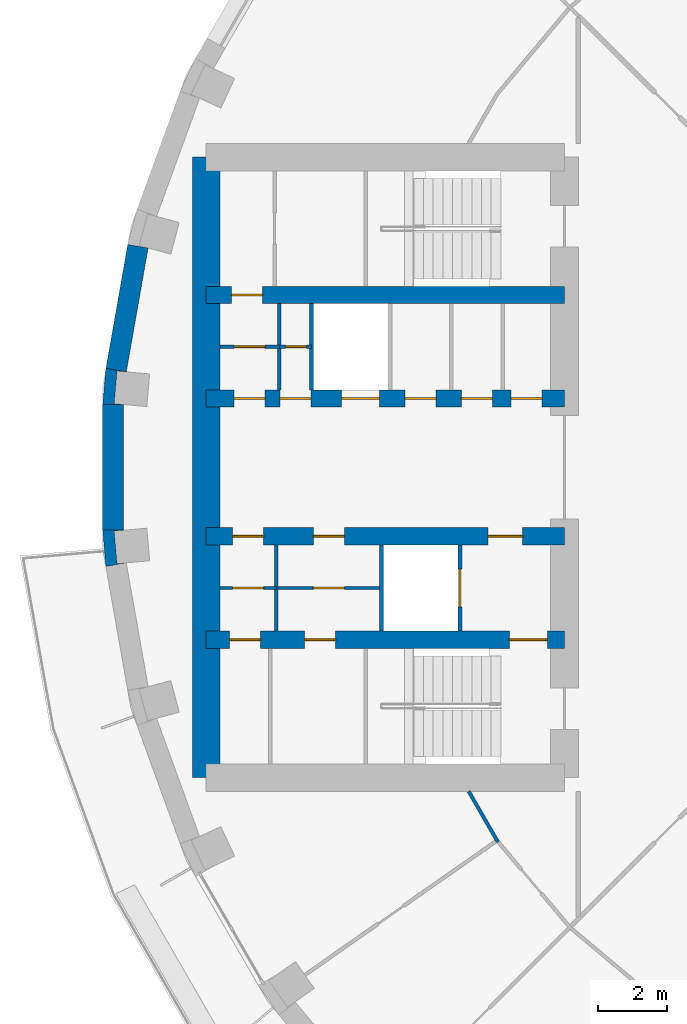
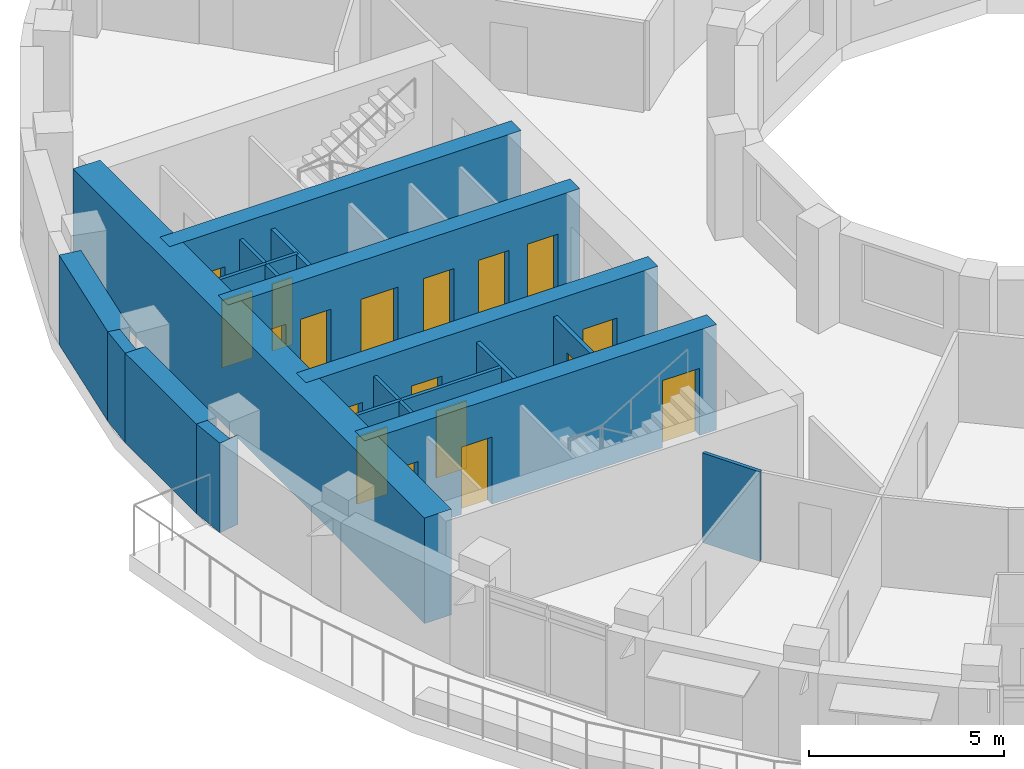
# One storey, part 6 of 16: 19 walls, 18 doors, 18 openings.
"""IFC4 building model written with IfcOpenShell, lengths in metres."""

import ifcopenshell
import ifcopenshell.guid

model = None  # the IFC model being written
_history = None  # IfcOwnerHistory: only IFC2X3 demands one
_inside = {}  # id of a spatial element -> (the spatial element, [elements in it])
_under = {}  # id of a project, library or spatial element -> (it, [spatial elements below it])
_declared = {}  # id of a project -> (the project, [libraries it declares])
_typed = {}  # id of a type object -> (the type object, [elements of that type])
_made_of = {}  # id of a material, layer set ... -> (it, [elements and type objects made of it])


def new_model(schema):
    """Start an empty IFC model of exactly this schema.

    Asked for "IFC4X3", IfcOpenShell would pick the latest addendum, in which some entities
    have other attributes; the version numbers below select the first issue.
    IFC2X3 requires an IfcOwnerHistory on every rooted entity: one is made here for all.
    """
    global model, _history
    if schema == "IFC4X3":
        model = ifcopenshell.file(schema_version=(4, 3, 0, 0))
    else:
        model = ifcopenshell.file(schema=schema)
    _inside.clear()
    _under.clear()
    _declared.clear()
    _typed.clear()
    _made_of.clear()
    _history = None
    if model.schema == "IFC2X3":
        org = make("IfcOrganization", Name="unknown")
        user = make(
            "IfcPersonAndOrganization",
            ThePerson=make("IfcPerson", FamilyName="unknown"),
            TheOrganization=org,
        )
        app = make(
            "IfcApplication",
            ApplicationDeveloper=org,
            Version="unknown",
            ApplicationFullName="unknown",
            ApplicationIdentifier="unknown",
        )
        _history = make(
            "IfcOwnerHistory",
            OwningUser=user,
            OwningApplication=app,
            ChangeAction="ADDED",
            CreationDate=0,
        )
    return model


def make(cls, **values):
    """One entity of the class cls with the attributes given. An attribute that is None is left unset."""
    return model.create_entity(
        cls, **{name: value for name, value in values.items() if value is not None}
    )


def rooted(cls, **values):
    """An entity with a GlobalId (a new one), such as an element, a storey or a relation."""
    return make(cls, GlobalId=ifcopenshell.guid.new(), OwnerHistory=_history, **values)


def si_unit(unit_type, name, prefix=None):
    """IfcSIUnit, for example si_unit("LENGTHUNIT", "METRE", prefix="MILLI")."""
    return make("IfcSIUnit", UnitType=unit_type, Prefix=prefix, Name=name)


def assignment(units):
    """IfcUnitAssignment: the units of a project."""
    return None if units is None else make("IfcUnitAssignment", Units=units)


def point(xyz):
    """IfcCartesianPoint."""
    return None if xyz is None else make("IfcCartesianPoint", Coordinates=xyz)


def direction(xyz):
    """IfcDirection."""
    return None if xyz is None else make("IfcDirection", DirectionRatios=xyz)


def frame(location, z_axis=None, x_axis=None):
    """IfcAxis2Placement3D, a coordinate frame: its origin and axes. An axis left out is left unset."""
    return make(
        "IfcAxis2Placement3D",
        Location=point(location),
        Axis=direction(z_axis),
        RefDirection=direction(x_axis),
    )


def frame_2d(location, x_axis=None):
    """IfcAxis2Placement2D, a coordinate frame in the plane: its origin and x axis."""
    return make(
        "IfcAxis2Placement2D", Location=point(location), RefDirection=direction(x_axis)
    )


def origin():
    """The frame at (0, 0, 0) with its axes left unset."""
    return frame((0.0, 0.0, 0.0))


def place(relative_to, where):
    """IfcLocalPlacement: puts the frame where relative to a parent placement (None: the world)."""
    return make(
        "IfcLocalPlacement", PlacementRelTo=relative_to, RelativePlacement=where
    )


def context(
    kind, dimensions, precision=None, world=None, true_north=None, identifier=None
):
    """IfcGeometricRepresentationContext, for example the 3D "Model" context."""
    return make(
        "IfcGeometricRepresentationContext",
        ContextIdentifier=identifier,
        ContextType=kind,
        CoordinateSpaceDimension=dimensions,
        Precision=precision,
        WorldCoordinateSystem=world,
        TrueNorth=true_north,
    )


def subcontext(parent, identifier, kind, view, scale=None):
    """IfcGeometricRepresentationSubContext, for example "Body" below "Model"."""
    return make(
        "IfcGeometricRepresentationSubContext",
        ContextIdentifier=identifier,
        ContextType=kind,
        ParentContext=parent,
        TargetScale=scale,
        TargetView=view,
    )


def project(units=None, contexts=None):
    """IfcProject with its units and contexts."""
    return rooted(
        "IfcProject",
        Name="project",
        RepresentationContexts=contexts,
        UnitsInContext=assignment(units),
    )


def spatial(cls, under=None, at=None, **own):
    """A site, building, storey or space (cls), placed at a placement, below another one or the project."""
    s = rooted(cls, ObjectPlacement=at, **own)
    if under is not None:
        _under.setdefault(under.id(), (under, []))[1].append(s)
    return s


def polyline(points):
    """IfcPolyline through the points."""
    return make("IfcPolyline", Points=[point(p) for p in points])


def profile(cls, at=None, kind="AREA", **sizes):
    """A parametric profile (cls). Its sizes go by their IFC names, for example OverallWidth=200.0."""
    return make(cls, ProfileType=kind, Position=at, **sizes)


def rectangle(**sizes):
    """IfcRectangleProfileDef."""
    return profile("IfcRectangleProfileDef", **sizes)


def outline(outer, holes=None, kind="AREA"):
    """IfcArbitraryClosedProfileDef: a profile drawn as a closed curve; with holes, ...WithVoids."""
    if holes is None:
        return make("IfcArbitraryClosedProfileDef", ProfileType=kind, OuterCurve=outer)
    return make(
        "IfcArbitraryProfileDefWithVoids",
        ProfileType=kind,
        OuterCurve=outer,
        InnerCurves=holes,
    )


def extrude(swept, where, along, depth):
    """IfcExtrudedAreaSolid: the profile swept, set in the frame where, extruded along a direction by depth."""
    return make(
        "IfcExtrudedAreaSolid",
        SweptArea=swept,
        Position=where,
        ExtrudedDirection=direction(along),
        Depth=depth,
    )


def shape(context_of_items, identifier, shape_type, items):
    """IfcShapeRepresentation: the items that make up one representation, for example the "Body"."""
    return make(
        "IfcShapeRepresentation",
        ContextOfItems=context_of_items,
        RepresentationIdentifier=identifier,
        RepresentationType=shape_type,
        Items=items,
    )


def material(Name=None, Category=None):
    """IfcMaterial."""
    return make("IfcMaterial", Name=Name, Category=Category)


def layer(
    of_material, thickness, ventilated=None, Name=None, Category=None, Priority=None
):
    """IfcMaterialLayer: one layer of a wall or slab, of a material (None: an air gap)."""
    return make(
        "IfcMaterialLayer",
        Material=of_material,
        LayerThickness=thickness,
        IsVentilated=ventilated,
        Name=Name,
        Category=Category,
        Priority=Priority,
    )


def layer_set(layers, Name=None):
    """IfcMaterialLayerSet."""
    return make("IfcMaterialLayerSet", MaterialLayers=layers, LayerSetName=Name)


def made_of(thing, what):
    """Note that an element or type object is made of a material, layer set ...; save() writes the relation."""
    if what is not None:
        _made_of.setdefault(what.id(), (what, []))[1].append(thing)
    return thing


def type_object(cls, material=None, **own):
    """A type object (cls), such as IfcWallType, which elements share."""
    return made_of(rooted(cls, **own), material)


def element(
    cls,
    number,
    at=None,
    inside=None,
    cuts=None,
    type_object=None,
    material=None,
    context=None,
    identifier="Body",
    shape_type=None,
    held_by="IfcProductDefinitionShape",
    body=None,
    shapes=None,
    **own,
):
    """One element of the class cls, such as IfcWall. Its Tag is "e" and its number.

    at: its placement. inside: the storey or other place that contains it. cuts: it is an
    opening in that element (IfcRelVoidsElement). A single representation is given by context,
    identifier, shape_type and body (its items); several are given by shapes. held_by: the class
    of the entity that holds the representations. save() writes the other relations.
    """
    e = rooted(cls, Tag="e%d" % number, ObjectPlacement=at, **own)
    if body is not None:
        shapes = [shape(context, identifier, shape_type, body)]
    if shapes is not None:
        e.Representation = make(held_by, Representations=shapes)
    if inside is not None:
        _inside.setdefault(inside.id(), (inside, []))[1].append(e)
    if cuts is not None:
        rooted(
            "IfcRelVoidsElement", RelatingBuildingElement=cuts, RelatedOpeningElement=e
        )
    if type_object is not None:
        _typed.setdefault(type_object.id(), (type_object, []))[1].append(e)
    return made_of(e, material)


def fill(opening, filler):
    """IfcRelFillsElement: the door or window that sits in an opening."""
    return rooted(
        "IfcRelFillsElement",
        RelatingOpeningElement=opening,
        RelatedBuildingElement=filler,
    )


def aggregate(whole, parts):
    """IfcRelAggregates: a whole, such as a stair, and the parts it consists of."""
    return rooted("IfcRelAggregates", RelatingObject=whole, RelatedObjects=parts)


def save(model, path):
    """Write the relations noted so far, then the file.

    IfcRelAggregates (storeys below a building ...), IfcRelContainedInSpatialStructure (elements
    in a storey), IfcRelDefinesByType, IfcRelAssociatesMaterial and IfcRelDeclares: one each for
    every whole, place, type object, material and project.
    """
    for whole, parts in _under.values():
        aggregate(whole, parts)
    for where, things in _inside.values():
        rooted(
            "IfcRelContainedInSpatialStructure",
            RelatedElements=things,
            RelatingStructure=where,
        )
    for kind, things in _typed.values():
        rooted("IfcRelDefinesByType", RelatedObjects=things, RelatingType=kind)
    for what, things in _made_of.values():
        rooted("IfcRelAssociatesMaterial", RelatedObjects=things, RelatingMaterial=what)
    for by, libraries in _declared.values():
        rooted("IfcRelDeclares", RelatingContext=by, RelatedDefinitions=libraries)
    model.write(path)


model = new_model("IFC4")

# Units and contexts
model_context = context("Model", 3, precision=1e-05, world=origin(), true_north=direction((0.0, 1.0)))
body_context = subcontext(model_context, "Body", "Model", "MODEL_VIEW")
ifc_project = project(units=[si_unit("LENGTHUNIT", "METRE"), si_unit("AREAUNIT", "SQUARE_METRE"), si_unit("VOLUMEUNIT", "CUBIC_METRE"), si_unit("PLANEANGLEUNIT", "RADIAN"), si_unit("MASSUNIT", "GRAM", prefix="KILO")], contexts=[model_context])

# Site, building, storey
site_placement = place(None, origin())
site = spatial("IfcSite", under=ifc_project, at=site_placement, CompositionType="ELEMENT")
building_placement = place(site_placement, origin())
building = spatial("IfcBuilding", under=site, at=building_placement, Name="Saqina Gate Tower", CompositionType="ELEMENT")
storey_placement = place(building_placement, frame((0.0, 0.0, 124.89990234375)))
storey = spatial("IfcBuildingStorey", under=building, at=storey_placement, Name="L35", CompositionType="ELEMENT", Elevation=124.89990234375)

# Walls
ifc_material_1 = material(Name="Brick masonry (buff)", Category="masonry")
wall_type_1 = type_object("IfcWallType", Name="BRICK PIER COPING BUFF", PredefinedType="SOLIDWALL", material=ifc_material_1)
wall_1_placement = place(storey_placement, origin())
element("IfcWall", 1, at=wall_1_placement, inside=storey, type_object=wall_type_1, Name="Pier cap L35 column 18", PredefinedType="SOLIDWALL", context=body_context, shape_type="SweptSolid", body=[
    extrude(outline(polyline([(-26.805419921875, 2.87451171875), (-26.897216796875, 1.823974609375), (-26.29736328125, 1.823974609375), (-26.565185546875, 1.847412109375), (-26.482421875, 2.793701171875), (-26.214599609375, 2.770263671875), (-26.805419921875, 2.87451171875)])), origin(), (0.0, 0.0, 1.0), 2.800048828125),
])
wall_2_placement = place(storey_placement, origin())
element("IfcWall", 2, at=wall_2_placement, inside=storey, type_object=wall_type_1, Name="Pier cap L35 column 19", PredefinedType="SOLIDWALL", context=body_context, shape_type="SweptSolid", body=[
    extrude(outline(polyline([(-26.805419921875, -2.87451171875), (-26.214599609375, -2.770263671875), (-26.482421875, -2.793701171875), (-26.565185546875, -1.847412109375), (-26.29736328125, -1.823974609375), (-26.897216796875, -1.823974609375), (-26.805419921875, -2.87451171875)])), origin(), (0.0, 0.0, 1.0), 2.800048828125),
])
ifc_material_2 = material(Name="Gypsum board on steel studs", Category="steel")
ifc_layer_1 = layer(ifc_material_2, 0.10009765625)
ifc_layer_set_1 = layer_set([ifc_layer_1], Name="CORE PARTITION")
wall_type_2 = type_object("IfcWallType", Name="CORE PARTITION", PredefinedType="PARTITIONING", material=ifc_layer_set_1)
for number, where, z_axis, x_axis, name in (
    (3, (-21.77099609375, 2.25, 0.0), (0.0, 0.0, 1.0), (0.0, 1.0, 0.0), "L35-CP-W05"),
    (4, (-21.8583984375, -4.75, 0.0), (0.0, 0.0, 1.0), (0.0, 1.0, 0.0), "L35-CP-W08"),
):
    element("IfcWall", number, at=place(storey_placement, frame(where, z_axis=z_axis, x_axis=x_axis)), inside=storey, type_object=wall_type_2, Name=name, PredefinedType="PARTITIONING", context=body_context, shape_type="SweptSolid", body=[
        extrude(rectangle(XDim=2.5, YDim=0.10009765625, at=frame_2d((1.25, 0.0))), origin(), (0.0, 0.0, 1.0), 2.800048828125),
    ])

# Wall, opening, door
wall_3_placement = place(storey_placement, frame((-20.840087890625, 3.5, 0.0), z_axis=(0.0, 0.0, 1.0), x_axis=(-1.0, 0.0, 0.0)))
wall_3 = element("IfcWall", 5, at=wall_3_placement, inside=storey, type_object=wall_type_2, Name="L35-CP-W09", PredefinedType="PARTITIONING", context=body_context, shape_type="SweptSolid", body=[
    extrude(rectangle(XDim=0.930908203125, YDim=0.10009765625, at=frame_2d((0.46533203125, 0.0))), origin(), (0.0, 0.0, 1.0), 2.800048828125),
])
opening_1_placement = place(wall_3_placement, frame((0.14990234375, 0.0, 0.0)))
opening_1 = element("IfcOpeningElement", 6, at=opening_1_placement, cuts=wall_3, Name="Opening G10-D118", PredefinedType="OPENING", context=body_context, shape_type="SweptSolid", body=[
    extrude(rectangle(XDim=0.60009765625, YDim=2.10009765625, at=frame_2d((0.300048828125, 1.050048828125))), frame((0.0, 0.06201171875, 0.0), z_axis=(0.0, -1.0, 0.0), x_axis=(1.0, 0.0, 0.0)), (0.0, 0.0, 1.0), 0.1240234375),
])
ifc_material_3 = material(Name="Steel-framed fire door leaf, EI 60", Category="steel")
door_type_1 = type_object("IfcDoorType", Name="SERVICE ROOM DOOR 600", OperationType="SINGLE_SWING_LEFT", PredefinedType="DOOR", material=ifc_material_3)
door_1_placement = place(opening_1_placement, origin())
door_1 = element("IfcDoor", 7, at=door_1_placement, inside=storey, type_object=door_type_1, Name="L35-CD-W29", OperationType="SINGLE_SWING_LEFT", OverallHeight=2.10009765625, OverallWidth=0.60009765625, PredefinedType="DOOR", context=body_context, shape_type="SweptSolid", body=[
    extrude(rectangle(XDim=0.60009765625, YDim=2.10009765625, at=frame_2d((0.300048828125, 1.050048828125))), frame((0.0, 0.02490234375, 0.0), z_axis=(0.0, -1.0, 0.0), x_axis=(1.0, 0.0, 0.0)), (0.0, 0.0, 1.0), 0.050048828125),
])
fill(opening_1, door_1)

wall_4_placement = place(storey_placement, frame((-21.77099609375, 3.5, 0.0), z_axis=(0.0, 0.0, 1.0), x_axis=(-1.0, 0.0, 0.0)))
wall_4 = element("IfcWall", 8, at=wall_4_placement, inside=storey, type_object=wall_type_2, Name="L35-CP-W10", PredefinedType="PARTITIONING", context=body_context, shape_type="SweptSolid", body=[
    extrude(rectangle(XDim=1.72900390625, YDim=0.10009765625, at=frame_2d((0.864501953125, 0.0))), origin(), (0.0, 0.0, 1.0), 2.800048828125),
])
opening_2_placement = place(wall_4_placement, frame((0.41455078125, 0.0, 0.0)))
opening_2 = element("IfcOpeningElement", 9, at=opening_2_placement, cuts=wall_4, Name="Opening G10-D119", PredefinedType="OPENING", context=body_context, shape_type="SweptSolid", body=[
    extrude(rectangle(XDim=0.89990234375, YDim=2.10009765625, at=frame_2d((0.449951171875, 1.050048828125))), frame((0.0, 0.06201171875, 0.0), z_axis=(0.0, -1.0, 0.0), x_axis=(1.0, 0.0, 0.0)), (0.0, 0.0, 1.0), 0.1240234375),
])
ifc_material_4 = material(Name="Steel-framed fire door leaf, EI 60", Category="steel")
door_type_2 = type_object("IfcDoorType", Name="SERVICE ROOM DOOR 900", OperationType="SINGLE_SWING_LEFT", PredefinedType="DOOR", material=ifc_material_4)
door_2_placement = place(opening_2_placement, frame((0.89990234375, 0.0, 0.0), z_axis=(0.0, 0.0, 1.0), x_axis=(-1.0, 0.0, 0.0)))
door_2 = element("IfcDoor", 10, at=door_2_placement, inside=storey, type_object=door_type_2, Name="L35-CD-W30", OperationType="SINGLE_SWING_LEFT", OverallHeight=2.10009765625, OverallWidth=0.89990234375, PredefinedType="DOOR", context=body_context, shape_type="SweptSolid", body=[
    extrude(rectangle(XDim=0.89990234375, YDim=2.10009765625, at=frame_2d((0.449951171875, 1.050048828125))), frame((0.0, 0.02490234375, 0.0), z_axis=(0.0, -1.0, 0.0), x_axis=(1.0, 0.0, 0.0)), (0.0, 0.0, 1.0), 0.050048828125),
])
fill(opening_2, door_2)

wall_5_placement = place(storey_placement, frame((-18.81005859375, -3.5, 0.0), z_axis=(0.0, 0.0, 1.0), x_axis=(-1.0, 0.0, 0.0)))
wall_5 = element("IfcWall", 11, at=wall_5_placement, inside=storey, type_object=wall_type_2, Name="L35-CP-W11", PredefinedType="PARTITIONING", context=body_context, shape_type="SweptSolid", body=[
    extrude(rectangle(XDim=3.04833984375, YDim=0.10009765625, at=frame_2d((1.524169921875, 0.0))), origin(), (0.0, 0.0, 1.0), 2.800048828125),
])
opening_3_placement = place(wall_5_placement, frame((1.07421875, 0.0, 0.0)))
opening_3 = element("IfcOpeningElement", 12, at=opening_3_placement, cuts=wall_5, Name="Opening G10-D123", PredefinedType="OPENING", context=body_context, shape_type="SweptSolid", body=[
    extrude(rectangle(XDim=0.89990234375, YDim=2.10009765625, at=frame_2d((0.449951171875, 1.050048828125))), frame((0.0, 0.06201171875, 0.0), z_axis=(0.0, -1.0, 0.0), x_axis=(1.0, 0.0, 0.0)), (0.0, 0.0, 1.0), 0.1240234375),
])
door_3_placement = place(opening_3_placement, origin())
door_3 = element("IfcDoor", 13, at=door_3_placement, inside=storey, type_object=door_type_2, Name="L35-CD-W34", OperationType="SINGLE_SWING_LEFT", OverallHeight=2.10009765625, OverallWidth=0.89990234375, PredefinedType="DOOR", context=body_context, shape_type="SweptSolid", body=[
    extrude(rectangle(XDim=0.89990234375, YDim=2.10009765625, at=frame_2d((0.449951171875, 1.050048828125))), frame((0.0, 0.02490234375, 0.0), z_axis=(0.0, -1.0, 0.0), x_axis=(1.0, 0.0, 0.0)), (0.0, 0.0, 1.0), 0.050048828125),
])
fill(opening_3, door_3)

wall_6_placement = place(storey_placement, frame((-21.8583984375, -3.5, 0.0), z_axis=(0.0, 0.0, 1.0), x_axis=(-1.0, 0.0, 0.0)))
wall_6 = element("IfcWall", 14, at=wall_6_placement, inside=storey, type_object=wall_type_2, Name="L35-CP-W12", PredefinedType="PARTITIONING", context=body_context, shape_type="SweptSolid", body=[
    extrude(rectangle(XDim=1.6416015625, YDim=0.10009765625, at=frame_2d((0.82080078125, 0.0))), origin(), (0.0, 0.0, 1.0), 2.800048828125),
])
opening_4_placement = place(wall_6_placement, frame((0.370849609375, 0.0, 0.0)))
opening_4 = element("IfcOpeningElement", 15, at=opening_4_placement, cuts=wall_6, Name="Opening G10-D122", PredefinedType="OPENING", context=body_context, shape_type="SweptSolid", body=[
    extrude(rectangle(XDim=0.89990234375, YDim=2.10009765625, at=frame_2d((0.449951171875, 1.050048828125))), frame((0.0, 0.06201171875, 0.0), z_axis=(0.0, -1.0, 0.0), x_axis=(1.0, 0.0, 0.0)), (0.0, 0.0, 1.0), 0.1240234375),
])
door_4_placement = place(opening_4_placement, origin())
door_4 = element("IfcDoor", 16, at=door_4_placement, inside=storey, type_object=door_type_2, Name="L35-CD-W33", OperationType="SINGLE_SWING_RIGHT", OverallHeight=2.10009765625, OverallWidth=0.89990234375, PredefinedType="DOOR", context=body_context, shape_type="SweptSolid", body=[
    extrude(rectangle(XDim=0.89990234375, YDim=2.10009765625, at=frame_2d((0.449951171875, 1.050048828125))), frame((0.0, 0.02490234375, 0.0), z_axis=(0.0, -1.0, 0.0), x_axis=(1.0, 0.0, 0.0)), (0.0, 0.0, 1.0), 0.050048828125),
])
fill(opening_4, door_4)

# Walls
ifc_material_5 = material(Name="Glazed ceramic tile", Category="ceramic")
ifc_layer_2 = layer(ifc_material_5, 0.60009765625)
ifc_layer_set_2 = layer_set([ifc_layer_2], Name="FW-TILE")
wall_type_3 = type_object("IfcWallType", Name="FW-TILE", PredefinedType="SOLIDWALL", material=ifc_layer_set_2)
wall_7_placement = place(storey_placement, frame((-26.59716796875, 1.823974609375, 0.0), z_axis=(0.0, 0.0, 1.0), x_axis=(0.0, -1.0, 0.0)))
element("IfcWall", 17, at=wall_7_placement, inside=storey, type_object=wall_type_3, Name="Facade wall L35 facet 18", PredefinedType="SOLIDWALL", context=body_context, shape_type="SweptSolid", body=[
    extrude(rectangle(XDim=3.64794921875, YDim=0.60009765625, at=frame_2d((1.823974609375, 0.0))), origin(), (0.0, 0.0, 1.0), 2.800048828125),
])
ifc_material_6 = material(Name="Glazed ceramic tile (white)", Category="ceramic")
ifc_layer_3 = layer(ifc_material_6, 0.60009765625)
ifc_layer_set_3 = layer_set([ifc_layer_3], Name="FW-TILE-WH")
wall_type_4 = type_object("IfcWallType", Name="FW-TILE-WH", PredefinedType="SOLIDWALL", material=ifc_layer_set_3)
wall_8_placement = place(storey_placement, frame((-25.87646484375, 6.414794921875, 0.0), z_axis=(0.0, 0.0, 1.0), x_axis=(-0.173670796382, -0.984803764455, 0.0)))
element("IfcWall", 18, at=wall_8_placement, inside=storey, type_object=wall_type_4, Name="Facade wall L35 facet 17", PredefinedType="SOLIDWALL", context=body_context, shape_type="SweptSolid", body=[
    extrude(rectangle(XDim=3.64794921875, YDim=0.60009765625, at=frame_2d((1.823974609375, 0.0))), origin(), (0.0, 0.0, 1.0), 2.800048828125),
])
ifc_material_7 = material(Name="Gypsum board on steel studs, 100 mm", Category="steel")
ifc_layer_4 = layer(ifc_material_7, 0.10009765625)
ifc_layer_set_4 = layer_set([ifc_layer_4], Name="PARTITION 100")
wall_type_5 = type_object("IfcWallType", Name="PARTITION 100", PredefinedType="PARTITIONING", material=ifc_layer_set_4)
wall_9_placement = place(storey_placement, frame((-16.281005859375, -9.39794921875, 0.0), z_axis=(0.0, 0.0, 1.0), x_axis=(0.499867730161, -0.866101756345, 0.0)))
element("IfcWall", 19, at=wall_9_placement, inside=storey, type_object=wall_type_5, Name="PARTITION PW3-14", PredefinedType="PARTITIONING", context=body_context, shape_type="SweptSolid", body=[
    extrude(rectangle(XDim=1.697265625, YDim=0.10009765625, at=frame_2d((0.8486328125, 0.0))), origin(), (0.0, 0.0, 1.0), 2.800048828125),
])
ifc_material_8 = material(Name="Autoclaved aerated concrete block", Category="concrete")
ifc_layer_5 = layer(ifc_material_8, 0.1201171875)
ifc_layer_set_5 = layer_set([ifc_layer_5], Name="SHAFT PARTITION")
wall_type_6 = type_object("IfcWallType", Name="SHAFT PARTITION", PredefinedType="PARTITIONING", material=ifc_layer_set_5)
wall_10_placement = place(storey_placement, frame((-20.840087890625, 2.25, 0.0), z_axis=(0.0, 0.0, 1.0), x_axis=(0.0, 1.0, 0.0)))
element("IfcWall", 20, at=wall_10_placement, inside=storey, type_object=wall_type_6, Name="L35-CP-W04", PredefinedType="PARTITIONING", context=body_context, shape_type="SweptSolid", body=[
    extrude(rectangle(XDim=2.5, YDim=0.1201171875, at=frame_2d((1.25, 0.0))), origin(), (0.0, 0.0, 1.0), 2.800048828125),
])

# Wall, opening, door
wall_11_placement = place(storey_placement, frame((-16.530029296875, -4.75, 0.0), z_axis=(0.0, 0.0, 1.0), x_axis=(0.0, 1.0, 0.0)))
wall_11 = element("IfcWall", 21, at=wall_11_placement, inside=storey, type_object=wall_type_6, Name="L35-CP-W06", PredefinedType="PARTITIONING", context=body_context, shape_type="SweptSolid", body=[
    extrude(rectangle(XDim=2.5, YDim=0.1201171875, at=frame_2d((1.25, 0.0))), origin(), (0.0, 0.0, 1.0), 2.800048828125),
])
opening_5_placement = place(wall_11_placement, frame((0.699951171875, 0.0, 0.0)))
opening_5 = element("IfcOpeningElement", 22, at=opening_5_placement, cuts=wall_11, Name="Opening G10-LD4", PredefinedType="OPENING", context=body_context, shape_type="SweptSolid", body=[
    extrude(rectangle(XDim=1.10009765625, YDim=2.10009765625, at=frame_2d((0.550048828125, 1.050048828125))), frame((0.0, 0.072021484375, 0.0), z_axis=(0.0, -1.0, 0.0), x_axis=(1.0, 0.0, 0.0)), (0.0, 0.0, 1.0), 0.14404296875),
])
ifc_material_9 = material(Name="Stainless steel", Category="steel")
door_type_3 = type_object("IfcDoorType", Name="LANDING DOOR", OperationType="DOUBLE_DOOR_SLIDING", PredefinedType="DOOR", material=ifc_material_9)
door_5_placement = place(opening_5_placement, origin())
door_5 = element("IfcDoor", 23, at=door_5_placement, inside=storey, type_object=door_type_3, Name="LANDING DOOR FF2", OperationType="DOUBLE_DOOR_SLIDING", OverallHeight=2.10009765625, OverallWidth=1.10009765625, PredefinedType="DOOR", context=body_context, shape_type="SweptSolid", body=[
    extrude(rectangle(XDim=1.10009765625, YDim=2.10009765625, at=frame_2d((0.550048828125, 1.050048828125))), frame((0.0, 0.02490234375, 0.0), z_axis=(0.0, -1.0, 0.0), x_axis=(1.0, 0.0, 0.0)), (0.0, 0.0, 1.0), 0.050048828125),
])
fill(opening_5, door_5)

# Wall
wall_12_placement = place(storey_placement, frame((-18.81005859375, -4.75, 0.0), z_axis=(0.0, 0.0, 1.0), x_axis=(0.0, 1.0, 0.0)))
element("IfcWall", 24, at=wall_12_placement, inside=storey, type_object=wall_type_6, Name="L35-CP-W07", PredefinedType="PARTITIONING", context=body_context, shape_type="SweptSolid", body=[
    extrude(rectangle(XDim=2.5, YDim=0.1201171875, at=frame_2d((1.25, 0.0))), origin(), (0.0, 0.0, 1.0), 2.800048828125),
])

# Wall, opening, door
ifc_material_10 = material(Name="Concrete C70/85", Category="concrete")
ifc_layer_6 = layer(ifc_material_10, 0.5)
ifc_layer_set_6 = layer_set([ifc_layer_6], Name="Concrete C70/85")
wall_type_7 = type_object("IfcWallType", Name="STR-CORE WALL-B-I", PredefinedType="SHEAR", material=ifc_layer_set_6)
wall_13_placement = place(storey_placement, frame((-13.5, 5.0, 0.0), z_axis=(0.0, 0.0, 1.0), x_axis=(-1.0, 0.0, 0.0)))
wall_13 = element("IfcWall", 25, at=wall_13_placement, inside=storey, type_object=wall_type_7, Name="CORE WALL L35 W-X1", PredefinedType="SHEAR", context=body_context, shape_type="SweptSolid", body=[
    extrude(rectangle(XDim=10.39990234375, YDim=0.5, at=frame_2d((5.199951171875, 0.0))), origin(), (0.0, 0.0, 1.0), 3.300048828125),
])
opening_6_placement = place(wall_13_placement, frame((8.755859375, 0.0, 0.0)))
opening_6 = element("IfcOpeningElement", 26, at=opening_6_placement, cuts=wall_13, Name="Opening G10-D121", PredefinedType="OPENING", context=body_context, shape_type="SweptSolid", body=[
    extrude(rectangle(XDim=0.89990234375, YDim=2.10009765625, at=frame_2d((0.449951171875, 1.050048828125))), frame((0.0, 0.261962890625, 0.0), z_axis=(0.0, -1.0, 0.0), x_axis=(1.0, 0.0, 0.0)), (0.0, 0.0, 1.0), 0.52392578125),
])
door_6_placement = place(opening_6_placement, frame((0.89990234375, 0.0, 0.0), z_axis=(0.0, 0.0, 1.0), x_axis=(-1.0, 0.0, 0.0)))
door_6 = element("IfcDoor", 27, at=door_6_placement, inside=storey, type_object=door_type_2, Name="L35-CD-W32", OperationType="SINGLE_SWING_LEFT", OverallHeight=2.10009765625, OverallWidth=0.89990234375, PredefinedType="DOOR", context=body_context, shape_type="SweptSolid", body=[
    extrude(rectangle(XDim=0.89990234375, YDim=2.10009765625, at=frame_2d((0.449951171875, 1.050048828125))), frame((0.0, 0.02490234375, 0.0), z_axis=(0.0, -1.0, 0.0), x_axis=(1.0, 0.0, 0.0)), (0.0, 0.0, 1.0), 0.050048828125),
])
fill(opening_6, door_6)

# Wall, openings, doors
wall_14_placement = place(storey_placement, frame((-13.5, -5.0, 0.0), z_axis=(0.0, 0.0, 1.0), x_axis=(-1.0, 0.0, 0.0)))
wall_14 = element("IfcWall", 28, at=wall_14_placement, inside=storey, type_object=wall_type_7, Name="CORE WALL L35 W-X2", PredefinedType="SHEAR", context=body_context, shape_type="SweptSolid", body=[
    extrude(rectangle(XDim=10.39990234375, YDim=0.5, at=frame_2d((5.199951171875, 0.0))), origin(), (0.0, 0.0, 1.0), 3.300048828125),
])
opening_7_placement = place(wall_14_placement, frame((6.63916015625, 0.0, 0.0)))
opening_7 = element("IfcOpeningElement", 29, at=opening_7_placement, cuts=wall_14, Name="Opening G10-D124", PredefinedType="OPENING", context=body_context, shape_type="SweptSolid", body=[
    extrude(rectangle(XDim=0.89990234375, YDim=2.10009765625, at=frame_2d((0.449951171875, 1.050048828125))), frame((0.0, 0.261962890625, 0.0), z_axis=(0.0, -1.0, 0.0), x_axis=(1.0, 0.0, 0.0)), (0.0, 0.0, 1.0), 0.52392578125),
])
opening_8_placement = place(wall_14_placement, frame((8.818603515625, 0.0, 0.0)))
opening_8 = element("IfcOpeningElement", 30, at=opening_8_placement, cuts=wall_14, Name="Opening G10-D125", PredefinedType="OPENING", context=body_context, shape_type="SweptSolid", body=[
    extrude(rectangle(XDim=0.89990234375, YDim=2.10009765625, at=frame_2d((0.449951171875, 1.050048828125))), frame((0.0, 0.261962890625, 0.0), z_axis=(0.0, -1.0, 0.0), x_axis=(1.0, 0.0, 0.0)), (0.0, 0.0, 1.0), 0.52392578125),
])
opening_9_placement = place(wall_14_placement, frame((0.5, 0.0, 0.0)))
opening_9 = element("IfcOpeningElement", 31, at=opening_9_placement, cuts=wall_14, Name="Opening G10-D126", PredefinedType="OPENING", context=body_context, shape_type="SweptSolid", body=[
    extrude(rectangle(XDim=1.10009765625, YDim=2.10009765625, at=frame_2d((0.550048828125, 1.050048828125))), frame((0.0, 0.261962890625, 0.0), z_axis=(0.0, -1.0, 0.0), x_axis=(1.0, 0.0, 0.0)), (0.0, 0.0, 1.0), 0.52392578125),
])
ifc_material_11 = material(Name="Steel", Category="steel")
door_type_4 = type_object("IfcDoorType", Name="FIRE LOBBY DOOR EI 60 WIDE", OperationType="SINGLE_SWING_LEFT", PredefinedType="DOOR", material=ifc_material_11)
door_7_placement = place(opening_9_placement, origin())
door_7 = element("IfcDoor", 32, at=door_7_placement, inside=storey, type_object=door_type_4, Name="L35-CD-W37", OperationType="SINGLE_SWING_LEFT", OverallHeight=2.10009765625, OverallWidth=1.10009765625, PredefinedType="DOOR", context=body_context, shape_type="SweptSolid", body=[
    extrude(rectangle(XDim=1.10009765625, YDim=2.10009765625, at=frame_2d((0.550048828125, 1.050048828125))), frame((0.0, 0.02490234375, 0.0), z_axis=(0.0, -1.0, 0.0), x_axis=(1.0, 0.0, 0.0)), (0.0, 0.0, 1.0), 0.050048828125),
])
fill(opening_9, door_7)
door_8_placement = place(opening_7_placement, origin())
door_8 = element("IfcDoor", 33, at=door_8_placement, inside=storey, type_object=door_type_2, Name="L35-CD-W35", OperationType="SINGLE_SWING_RIGHT", OverallHeight=2.10009765625, OverallWidth=0.89990234375, PredefinedType="DOOR", context=body_context, shape_type="SweptSolid", body=[
    extrude(rectangle(XDim=0.89990234375, YDim=2.10009765625, at=frame_2d((0.449951171875, 1.050048828125))), frame((0.0, 0.02490234375, 0.0), z_axis=(0.0, -1.0, 0.0), x_axis=(1.0, 0.0, 0.0)), (0.0, 0.0, 1.0), 0.050048828125),
])
fill(opening_7, door_8)
door_9_placement = place(opening_8_placement, origin())
door_9 = element("IfcDoor", 34, at=door_9_placement, inside=storey, type_object=door_type_2, Name="L35-CD-W36", OperationType="SINGLE_SWING_RIGHT", OverallHeight=2.10009765625, OverallWidth=0.89990234375, PredefinedType="DOOR", context=body_context, shape_type="SweptSolid", body=[
    extrude(rectangle(XDim=0.89990234375, YDim=2.10009765625, at=frame_2d((0.449951171875, 1.050048828125))), frame((0.0, 0.02490234375, 0.0), z_axis=(0.0, -1.0, 0.0), x_axis=(1.0, 0.0, 0.0)), (0.0, 0.0, 1.0), 0.050048828125),
])
fill(opening_8, door_9)

wall_15_placement = place(storey_placement, frame((-13.5, 2.0, 0.0), z_axis=(0.0, 0.0, 1.0), x_axis=(-1.0, 0.0, 0.0)))
wall_15 = element("IfcWall", 35, at=wall_15_placement, inside=storey, type_object=wall_type_7, Name="CORE WALL L35 W-L1", PredefinedType="SHEAR", context=body_context, shape_type="SweptSolid", body=[
    extrude(rectangle(XDim=10.39990234375, YDim=0.5, at=frame_2d((5.199951171875, 0.0))), origin(), (0.0, 0.0, 1.0), 3.300048828125),
])
opening_10_placement = place(wall_15_placement, frame((5.3701171875, 0.0, 0.0)))
opening_10 = element("IfcOpeningElement", 36, at=opening_10_placement, cuts=wall_15, Name="Opening G10-LD3", PredefinedType="OPENING", context=body_context, shape_type="SweptSolid", body=[
    extrude(rectangle(XDim=1.10009765625, YDim=2.10009765625, at=frame_2d((0.550048828125, 1.050048828125))), frame((0.0, 0.261962890625, 0.0), z_axis=(0.0, -1.0, 0.0), x_axis=(1.0, 0.0, 0.0)), (0.0, 0.0, 1.0), 0.52392578125),
])
opening_11_placement = place(wall_15_placement, frame((0.64892578125, 0.0, 0.0)))
opening_11 = element("IfcOpeningElement", 37, at=opening_11_placement, cuts=wall_15, Name="Opening G10-D110", PredefinedType="OPENING", context=body_context, shape_type="SweptSolid", body=[
    extrude(rectangle(XDim=0.89990234375, YDim=2.10009765625, at=frame_2d((0.449951171875, 1.050048828125))), frame((0.0, 0.261962890625, 0.0), z_axis=(0.0, -1.0, 0.0), x_axis=(1.0, 0.0, 0.0)), (0.0, 0.0, 1.0), 0.52392578125),
])
opening_12_placement = place(wall_15_placement, frame((2.093505859375, 0.0, 0.0)))
opening_12 = element("IfcOpeningElement", 38, at=opening_12_placement, cuts=wall_15, Name="Opening G10-D111", PredefinedType="OPENING", context=body_context, shape_type="SweptSolid", body=[
    extrude(rectangle(XDim=0.89990234375, YDim=2.10009765625, at=frame_2d((0.449951171875, 1.050048828125))), frame((0.0, 0.261962890625, 0.0), z_axis=(0.0, -1.0, 0.0), x_axis=(1.0, 0.0, 0.0)), (0.0, 0.0, 1.0), 0.52392578125),
])
opening_13_placement = place(wall_15_placement, frame((3.724609375, 0.0, 0.0)))
opening_13 = element("IfcOpeningElement", 39, at=opening_13_placement, cuts=wall_15, Name="Opening G10-D112", PredefinedType="OPENING", context=body_context, shape_type="SweptSolid", body=[
    extrude(rectangle(XDim=0.89990234375, YDim=2.10009765625, at=frame_2d((0.449951171875, 1.050048828125))), frame((0.0, 0.261962890625, 0.0), z_axis=(0.0, -1.0, 0.0), x_axis=(1.0, 0.0, 0.0)), (0.0, 0.0, 1.0), 0.52392578125),
])
opening_14_placement = place(wall_15_placement, frame((7.35546875, 0.0, 0.0)))
opening_14 = element("IfcOpeningElement", 40, at=opening_14_placement, cuts=wall_15, Name="Opening G10-D113", PredefinedType="OPENING", context=body_context, shape_type="SweptSolid", body=[
    extrude(rectangle(XDim=0.89990234375, YDim=2.10009765625, at=frame_2d((0.449951171875, 1.050048828125))), frame((0.0, 0.261962890625, 0.0), z_axis=(0.0, -1.0, 0.0), x_axis=(1.0, 0.0, 0.0)), (0.0, 0.0, 1.0), 0.52392578125),
])
opening_15_placement = place(wall_15_placement, frame((8.685546875, 0.0, 0.0)))
opening_15 = element("IfcOpeningElement", 41, at=opening_15_placement, cuts=wall_15, Name="Opening G10-D114", PredefinedType="OPENING", context=body_context, shape_type="SweptSolid", body=[
    extrude(rectangle(XDim=0.89990234375, YDim=2.10009765625, at=frame_2d((0.449951171875, 1.050048828125))), frame((0.0, 0.261962890625, 0.0), z_axis=(0.0, -1.0, 0.0), x_axis=(1.0, 0.0, 0.0)), (0.0, 0.0, 1.0), 0.52392578125),
])
door_10_placement = place(opening_10_placement, origin())
door_10 = element("IfcDoor", 42, at=door_10_placement, inside=storey, type_object=door_type_3, Name="LANDING DOOR MR2", OperationType="DOUBLE_DOOR_SLIDING", OverallHeight=2.10009765625, OverallWidth=1.10009765625, PredefinedType="DOOR", context=body_context, shape_type="SweptSolid", body=[
    extrude(rectangle(XDim=1.10009765625, YDim=2.10009765625, at=frame_2d((0.550048828125, 1.050048828125))), frame((0.0, 0.02490234375, 0.0), z_axis=(0.0, -1.0, 0.0), x_axis=(1.0, 0.0, 0.0)), (0.0, 0.0, 1.0), 0.050048828125),
])
fill(opening_10, door_10)
door_11_placement = place(opening_11_placement, frame((0.89990234375, 0.0, 0.0), z_axis=(0.0, 0.0, 1.0), x_axis=(-1.0, 0.0, 0.0)))
door_11 = element("IfcDoor", 43, at=door_11_placement, inside=storey, type_object=door_type_2, Name="L35-CD-W21", OperationType="SINGLE_SWING_RIGHT", OverallHeight=2.10009765625, OverallWidth=0.89990234375, PredefinedType="DOOR", context=body_context, shape_type="SweptSolid", body=[
    extrude(rectangle(XDim=0.89990234375, YDim=2.10009765625, at=frame_2d((0.449951171875, 1.050048828125))), frame((0.0, 0.02490234375, 0.0), z_axis=(0.0, -1.0, 0.0), x_axis=(1.0, 0.0, 0.0)), (0.0, 0.0, 1.0), 0.050048828125),
])
fill(opening_11, door_11)
door_12_placement = place(opening_12_placement, frame((0.89990234375, 0.0, 0.0), z_axis=(0.0, 0.0, 1.0), x_axis=(-1.0, 0.0, 0.0)))
door_12 = element("IfcDoor", 44, at=door_12_placement, inside=storey, type_object=door_type_2, Name="L35-CD-W22", OperationType="SINGLE_SWING_RIGHT", OverallHeight=2.10009765625, OverallWidth=0.89990234375, PredefinedType="DOOR", context=body_context, shape_type="SweptSolid", body=[
    extrude(rectangle(XDim=0.89990234375, YDim=2.10009765625, at=frame_2d((0.449951171875, 1.050048828125))), frame((0.0, 0.02490234375, 0.0), z_axis=(0.0, -1.0, 0.0), x_axis=(1.0, 0.0, 0.0)), (0.0, 0.0, 1.0), 0.050048828125),
])
fill(opening_12, door_12)
door_13_placement = place(opening_13_placement, frame((0.89990234375, 0.0, 0.0), z_axis=(0.0, 0.0, 1.0), x_axis=(-1.0, 0.0, 0.0)))
door_13 = element("IfcDoor", 45, at=door_13_placement, inside=storey, type_object=door_type_2, Name="L35-CD-W23", OperationType="SINGLE_SWING_LEFT", OverallHeight=2.10009765625, OverallWidth=0.89990234375, PredefinedType="DOOR", context=body_context, shape_type="SweptSolid", body=[
    extrude(rectangle(XDim=0.89990234375, YDim=2.10009765625, at=frame_2d((0.449951171875, 1.050048828125))), frame((0.0, 0.02490234375, 0.0), z_axis=(0.0, -1.0, 0.0), x_axis=(1.0, 0.0, 0.0)), (0.0, 0.0, 1.0), 0.050048828125),
])
fill(opening_13, door_13)
door_14_placement = place(opening_14_placement, frame((0.89990234375, 0.0, 0.0), z_axis=(0.0, 0.0, 1.0), x_axis=(-1.0, 0.0, 0.0)))
door_14 = element("IfcDoor", 46, at=door_14_placement, inside=storey, type_object=door_type_2, Name="L35-CD-W24", OperationType="SINGLE_SWING_RIGHT", OverallHeight=2.10009765625, OverallWidth=0.89990234375, PredefinedType="DOOR", context=body_context, shape_type="SweptSolid", body=[
    extrude(rectangle(XDim=0.89990234375, YDim=2.10009765625, at=frame_2d((0.449951171875, 1.050048828125))), frame((0.0, 0.02490234375, 0.0), z_axis=(0.0, -1.0, 0.0), x_axis=(1.0, 0.0, 0.0)), (0.0, 0.0, 1.0), 0.050048828125),
])
fill(opening_14, door_14)
door_15_placement = place(opening_15_placement, frame((0.89990234375, 0.0, 0.0), z_axis=(0.0, 0.0, 1.0), x_axis=(-1.0, 0.0, 0.0)))
door_15 = element("IfcDoor", 47, at=door_15_placement, inside=storey, type_object=door_type_2, Name="L35-CD-W25", OperationType="SINGLE_SWING_LEFT", OverallHeight=2.10009765625, OverallWidth=0.89990234375, PredefinedType="DOOR", context=body_context, shape_type="SweptSolid", body=[
    extrude(rectangle(XDim=0.89990234375, YDim=2.10009765625, at=frame_2d((0.449951171875, 1.050048828125))), frame((0.0, 0.02490234375, 0.0), z_axis=(0.0, -1.0, 0.0), x_axis=(1.0, 0.0, 0.0)), (0.0, 0.0, 1.0), 0.050048828125),
])
fill(opening_15, door_15)

wall_16_placement = place(storey_placement, frame((-13.5, -2.0, 0.0), z_axis=(0.0, 0.0, 1.0), x_axis=(-1.0, 0.0, 0.0)))
wall_16 = element("IfcWall", 48, at=wall_16_placement, inside=storey, type_object=wall_type_7, Name="CORE WALL L35 W-L2", PredefinedType="SHEAR", context=body_context, shape_type="SweptSolid", body=[
    extrude(rectangle(XDim=10.39990234375, YDim=0.5, at=frame_2d((5.199951171875, 0.0))), origin(), (0.0, 0.0, 1.0), 3.300048828125),
])
opening_16_placement = place(wall_16_placement, frame((1.215087890625, 0.0, 0.0)))
opening_16 = element("IfcOpeningElement", 49, at=opening_16_placement, cuts=wall_16, Name="Opening G10-D115", PredefinedType="OPENING", context=body_context, shape_type="SweptSolid", body=[
    extrude(rectangle(XDim=1.0, YDim=2.10009765625, at=frame_2d((0.5, 1.050048828125))), frame((0.0, 0.261962890625, 0.0), z_axis=(0.0, -1.0, 0.0), x_axis=(1.0, 0.0, 0.0)), (0.0, 0.0, 1.0), 0.52392578125),
])
opening_17_placement = place(wall_16_placement, frame((6.38427734375, 0.0, 0.0)))
opening_17 = element("IfcOpeningElement", 50, at=opening_17_placement, cuts=wall_16, Name="Opening G10-D116", PredefinedType="OPENING", context=body_context, shape_type="SweptSolid", body=[
    extrude(rectangle(XDim=0.89990234375, YDim=2.10009765625, at=frame_2d((0.449951171875, 1.050048828125))), frame((0.0, 0.261962890625, 0.0), z_axis=(0.0, -1.0, 0.0), x_axis=(1.0, 0.0, 0.0)), (0.0, 0.0, 1.0), 0.52392578125),
])
opening_18_placement = place(wall_16_placement, frame((8.729248046875, 0.0, 0.0)))
opening_18 = element("IfcOpeningElement", 51, at=opening_18_placement, cuts=wall_16, Name="Opening G10-D117", PredefinedType="OPENING", context=body_context, shape_type="SweptSolid", body=[
    extrude(rectangle(XDim=0.89990234375, YDim=2.10009765625, at=frame_2d((0.449951171875, 1.050048828125))), frame((0.0, 0.261962890625, 0.0), z_axis=(0.0, -1.0, 0.0), x_axis=(1.0, 0.0, 0.0)), (0.0, 0.0, 1.0), 0.52392578125),
])
ifc_material_12 = material(Name="Steel", Category="steel")
door_type_5 = type_object("IfcDoorType", Name="FIRE LOBBY DOOR EI 60", OperationType="SINGLE_SWING_LEFT", PredefinedType="DOOR", material=ifc_material_12)
door_16_placement = place(opening_16_placement, frame((1.0, 0.0, 0.0), z_axis=(0.0, 0.0, 1.0), x_axis=(-1.0, 0.0, 0.0)))
door_16 = element("IfcDoor", 52, at=door_16_placement, inside=storey, type_object=door_type_5, Name="L35-CD-W26", OperationType="SINGLE_SWING_RIGHT", OverallHeight=2.10009765625, OverallWidth=1.0, PredefinedType="DOOR", context=body_context, shape_type="SweptSolid", body=[
    extrude(rectangle(XDim=1.0, YDim=2.10009765625, at=frame_2d((0.5, 1.050048828125))), frame((0.0, 0.02490234375, 0.0), z_axis=(0.0, -1.0, 0.0), x_axis=(1.0, 0.0, 0.0)), (0.0, 0.0, 1.0), 0.050048828125),
])
fill(opening_16, door_16)
door_17_placement = place(opening_17_placement, origin())
door_17 = element("IfcDoor", 53, at=door_17_placement, inside=storey, type_object=door_type_2, Name="L35-CD-W27", OperationType="SINGLE_SWING_RIGHT", OverallHeight=2.10009765625, OverallWidth=0.89990234375, PredefinedType="DOOR", context=body_context, shape_type="SweptSolid", body=[
    extrude(rectangle(XDim=0.89990234375, YDim=2.10009765625, at=frame_2d((0.449951171875, 1.050048828125))), frame((0.0, 0.02490234375, 0.0), z_axis=(0.0, -1.0, 0.0), x_axis=(1.0, 0.0, 0.0)), (0.0, 0.0, 1.0), 0.050048828125),
])
fill(opening_17, door_17)
door_18_placement = place(opening_18_placement, origin())
door_18 = element("IfcDoor", 54, at=door_18_placement, inside=storey, type_object=door_type_2, Name="L35-CD-W28", OperationType="SINGLE_SWING_RIGHT", OverallHeight=2.10009765625, OverallWidth=0.89990234375, PredefinedType="DOOR", context=body_context, shape_type="SweptSolid", body=[
    extrude(rectangle(XDim=0.89990234375, YDim=2.10009765625, at=frame_2d((0.449951171875, 1.050048828125))), frame((0.0, 0.02490234375, 0.0), z_axis=(0.0, -1.0, 0.0), x_axis=(1.0, 0.0, 0.0)), (0.0, 0.0, 1.0), 0.050048828125),
])
fill(opening_18, door_18)

# Wall
ifc_material_13 = material(Name="Concrete C70/85", Category="concrete")
ifc_layer_7 = layer(ifc_material_13, 0.800048828125)
ifc_layer_set_7 = layer_set([ifc_layer_7], Name="Concrete C70/85")
wall_type_8 = type_object("IfcWallType", Name="STR-CORE WALL-B-O", PredefinedType="SHEAR", material=ifc_layer_set_7)
wall_17_placement = place(storey_placement, frame((-23.89990234375, -9.0, 0.0), z_axis=(0.0, 0.0, 1.0), x_axis=(0.0, 1.0, 0.0)))
element("IfcWall", 55, at=wall_17_placement, inside=storey, type_object=wall_type_8, Name="CORE WALL L35 W-W2", PredefinedType="SHEAR", context=body_context, shape_type="SweptSolid", body=[
    extrude(rectangle(XDim=18.0, YDim=0.800048828125, at=frame_2d((9.0, 0.0))), origin(), (0.0, 0.0, 1.0), 3.300048828125),
])

save(model, "model.ifc")
